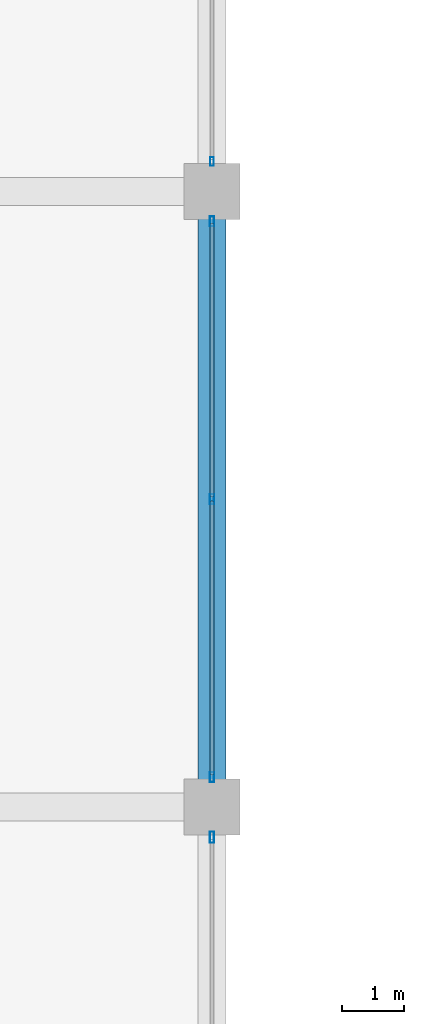
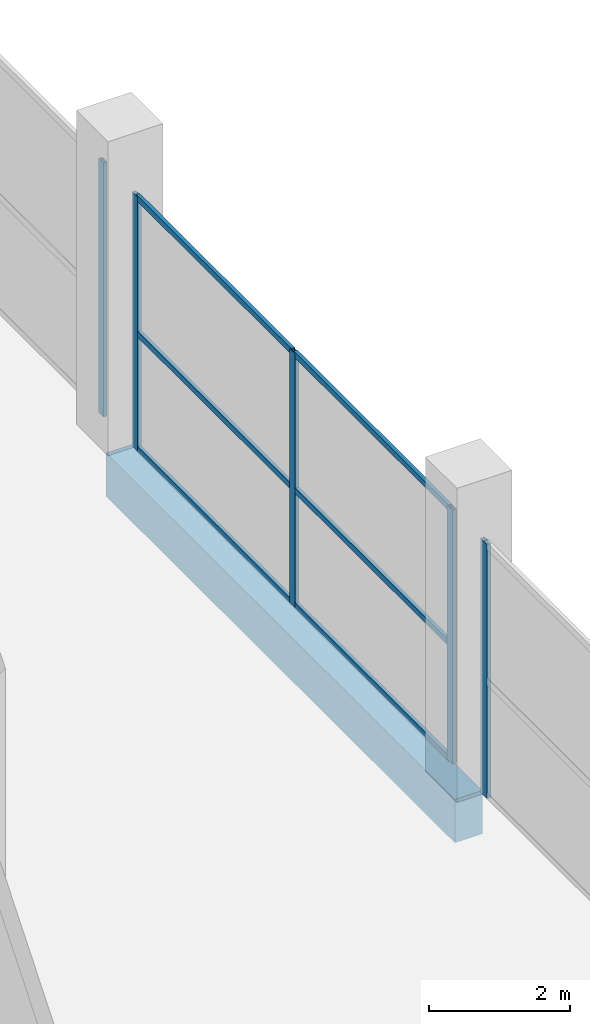
# One storey, part 10 of 50: 11 members, 1 beam, 3 elements without a shape of their own.
"""IFC4 building model written with IfcOpenShell, lengths in metres."""

from ifc_helpers import new_model, si_unit, direction, frame, origin, origin_2d, place, context, subcontext, project, spatial, rectangle, hollow_rectangle, extrude, material, layer, layer_set, material_profile, profile_set, type_object, element, aggregate, save


model = new_model("IFC4")

# Units and contexts
model_context = context("Model", 3, precision=1e-05, world=origin(), true_north=direction((0.0, 1.0)))
body_context = subcontext(model_context, "Body", "Model", "MODEL_VIEW")
ifc_project = project(units=[si_unit("LENGTHUNIT", "METRE"), si_unit("AREAUNIT", "SQUARE_METRE"), si_unit("VOLUMEUNIT", "CUBIC_METRE"), si_unit("PLANEANGLEUNIT", "RADIAN"), si_unit("MASSUNIT", "GRAM", prefix="KILO")], contexts=[model_context])

# Site, building, storey
site_placement = place(None, origin())
site = spatial("IfcSite", under=ifc_project, at=site_placement, CompositionType="ELEMENT")
building_placement = place(site_placement, origin())
building = spatial("IfcBuilding", under=site, at=building_placement, Name="Sillaruma Civic Art Gallery", CompositionType="ELEMENT")
storey_placement = place(building_placement, origin())
storey = spatial("IfcBuildingStorey", under=building, at=storey_placement, Name="L00", CompositionType="ELEMENT", Elevation=0.0)

# Beam
ifc_material_1 = material(Name="Concrete H40 (40 MPa)", Category="concrete")
ifc_material_profile_1 = material_profile(ifc_material_1, rectangle(XDim=0.449951171875, YDim=0.75, at=origin_2d()), Name="RCB450x750")
ifc_profile_set_1 = profile_set([ifc_material_profile_1], Name="Concrete H40 (40 MPa)")
beam_type = type_object("IfcBeamType", Name="BM-BEAM-RCB450x750", PredefinedType="BEAM", material=ifc_profile_set_1)
beam_placement = place(storey_placement, frame((114.39990234375, 49.5, -0.675048828125), z_axis=(0.0, 1.0, 0.0), x_axis=(-1.0, 0.0, 0.0)))
element("IfcBeam", 1, at=beam_placement, inside=storey, type_object=beam_type, Name="Beam BM-03 (B01:N:6-7)", PredefinedType="BEAM", context=body_context, shape_type="SweptSolid", body=[
    extrude(rectangle(XDim=0.449951171875, YDim=0.75, at=origin_2d()), origin(), (0.0, 0.0, 1.0), 9.89990234375),
])

# Curtain wall, member
ifc_material_2 = material(Name="Thermally Broken Extruded Aluminium 6063-T6", Category="aluminium")
ifc_layer_1 = layer(ifc_material_2, 0.139892578125, Name="Thermally Broken Extruded Aluminium 6063-T6")
ifc_layer_set_1 = layer_set([ifc_layer_1], Name="Thermally Broken Extruded Aluminium 6063-T6")
curtain_wall_type_1 = type_object("IfcCurtainWallType", Name="CW-UNI-05", PredefinedType="NOTDEFINED", material=ifc_layer_set_1)
curtain_wall_1_placement = place(storey_placement, origin())
curtain_wall_1 = element("IfcCurtainWall", 2, at=curtain_wall_1_placement, inside=storey, type_object=curtain_wall_type_1, Name="Unitised Curtain Wall CW-05 (CW-L00-SPE-5)", PredefinedType="NOTDEFINED")
ifc_material_profile_2 = material_profile(ifc_material_2, hollow_rectangle(XDim=0.06005859375, YDim=0.139892578125, WallThickness=0.00341796875, at=origin_2d()), Name="CWM60x140")
ifc_profile_set_2 = profile_set([ifc_material_profile_2], Name="Thermally Broken Extruded Aluminium 6063-T6")
member_type_1 = type_object("IfcMemberType", Name="MEM-MUL-CWM60x140", PredefinedType="MULLION", material=ifc_profile_set_2)
member_1_placement = place(storey_placement, frame((114.39990234375, 59.8798828125, 0.0), z_axis=(0.0, 0.0, 1.0), x_axis=(-1.0, 0.0, 0.0)))
member_1 = element("IfcMember", 3, at=member_1_placement, type_object=member_type_1, Name="CW-05 mullion 1", PredefinedType="MULLION", context=body_context, shape_type="SweptSolid", body=[
    extrude(hollow_rectangle(XDim=0.06005859375, YDim=0.139892578125, WallThickness=0.00341796875, at=origin_2d()), origin(), (0.0, 0.0, 1.0), 4.39990234375),
])
aggregate(curtain_wall_1, [member_1])

# Curtain wall, members
ifc_layer_2 = layer(ifc_material_2, 0.159912109375, Name="Thermally Broken Extruded Aluminium 6063-T6")
ifc_layer_set_2 = layer_set([ifc_layer_2], Name="Thermally Broken Extruded Aluminium 6063-T6")
curtain_wall_type_2 = type_object("IfcCurtainWallType", Name="CW-UNI-04", PredefinedType="NOTDEFINED", material=ifc_layer_set_2)
curtain_wall_2_placement = place(storey_placement, origin())
curtain_wall_2 = element("IfcCurtainWall", 4, at=curtain_wall_2_placement, inside=storey, type_object=curtain_wall_type_2, Name="Unitised Curtain Wall CW-04 (CW-L00-SPE-4)", PredefinedType="NOTDEFINED")
ifc_material_profile_3 = material_profile(ifc_material_2, hollow_rectangle(XDim=0.06494140625, YDim=0.159912109375, WallThickness=0.00390625, at=origin_2d()), Name="CWM65x160")
ifc_profile_set_3 = profile_set([ifc_material_profile_3], Name="Thermally Broken Extruded Aluminium 6063-T6")
member_type_2 = type_object("IfcMemberType", Name="MEM-MUL-CWM65x160", PredefinedType="MULLION", material=ifc_profile_set_3)
member_2_placement = place(storey_placement, frame((114.39990234375, 49.982421875, 0.0), z_axis=(0.0, 0.0, 1.0), x_axis=(-1.0, 0.0, 0.0)))
member_2 = element("IfcMember", 5, at=member_2_placement, type_object=member_type_2, Name="CW-04 mullion 1", PredefinedType="MULLION", context=body_context, shape_type="SweptSolid", body=[
    extrude(hollow_rectangle(XDim=0.06494140625, YDim=0.159912109375, WallThickness=0.00390625, at=origin_2d()), origin(), (0.0, 0.0, 1.0), 4.39990234375),
])
member_3_placement = place(storey_placement, frame((114.39990234375, 54.449951171875, 0.0), z_axis=(0.0, 0.0, 1.0), x_axis=(-1.0, 0.0, 0.0)))
member_3 = element("IfcMember", 6, at=member_3_placement, type_object=member_type_2, Name="CW-04 mullion 2", PredefinedType="MULLION", context=body_context, shape_type="SweptSolid", body=[
    extrude(hollow_rectangle(XDim=0.06494140625, YDim=0.159912109375, WallThickness=0.00390625, at=origin_2d()), origin(), (0.0, 0.0, 1.0), 4.39990234375),
])
member_4_placement = place(storey_placement, frame((114.39990234375, 58.91748046875, 0.0), z_axis=(0.0, 0.0, 1.0), x_axis=(-1.0, 0.0, 0.0)))
member_4 = element("IfcMember", 7, at=member_4_placement, type_object=member_type_2, Name="CW-04 mullion 3", PredefinedType="MULLION", context=body_context, shape_type="SweptSolid", body=[
    extrude(hollow_rectangle(XDim=0.06494140625, YDim=0.159912109375, WallThickness=0.00390625, at=origin_2d()), origin(), (0.0, 0.0, 1.0), 4.39990234375),
])

# Curtain wall, member
ifc_layer_3 = layer(ifc_material_2, 0.179931640625, Name="Thermally Broken Extruded Aluminium 6063-T6")
ifc_layer_set_3 = layer_set([ifc_layer_3], Name="Thermally Broken Extruded Aluminium 6063-T6")
curtain_wall_type_3 = type_object("IfcCurtainWallType", Name="CW-UNI-02", PredefinedType="NOTDEFINED", material=ifc_layer_set_3)
curtain_wall_3_placement = place(storey_placement, origin())
curtain_wall_3 = element("IfcCurtainWall", 8, at=curtain_wall_3_placement, inside=storey, type_object=curtain_wall_type_3, Name="Unitised Curtain Wall CW-02 (CW-L00-SPE-3)", PredefinedType="NOTDEFINED")
ifc_material_profile_4 = material_profile(ifc_material_2, hollow_rectangle(XDim=0.070068359375, YDim=0.179931640625, WallThickness=0.00390625, at=origin_2d()), Name="CWM70x180")
ifc_profile_set_4 = profile_set([ifc_material_profile_4], Name="Thermally Broken Extruded Aluminium 6063-T6")
member_type_3 = type_object("IfcMemberType", Name="MEM-MUL-CWM70x180", PredefinedType="MULLION", material=ifc_profile_set_4)
member_5_placement = place(storey_placement, frame((114.39990234375, 49.014892578125, 0.0), z_axis=(0.0, 0.0, 1.0), x_axis=(-1.0, 0.0, 0.0)))
member_5 = element("IfcMember", 9, at=member_5_placement, type_object=member_type_3, Name="CW-02 mullion 3", PredefinedType="MULLION", context=body_context, shape_type="SweptSolid", body=[
    extrude(hollow_rectangle(XDim=0.070068359375, YDim=0.179931640625, WallThickness=0.00390625, at=origin_2d()), origin(), (0.0, 0.0, 1.0), 4.39990234375),
])
aggregate(curtain_wall_3, [member_5])

# Member
ifc_material_profile_5 = material_profile(ifc_material_2, hollow_rectangle(XDim=0.06005859375, YDim=0.10009765625, WallThickness=0.003173828125, at=origin_2d()), Name="CWT60x100")
ifc_profile_set_5 = profile_set([ifc_material_profile_5], Name="Thermally Broken Extruded Aluminium 6063-T6")
member_type_4 = type_object("IfcMemberType", Name="MEM-TRN-CWT60x100", PredefinedType="USERDEFINED", material=ifc_profile_set_5)
member_6_placement = place(storey_placement, frame((114.39990234375, 50.014892578125, 0.030029296875), z_axis=(0.0, 1.0, 0.0), x_axis=(-1.0, 0.0, 0.0)))
member_6 = element("IfcMember", 10, at=member_6_placement, type_object=member_type_4, Name="CW-04 transom 1.1", ObjectType="TRANSOM", PredefinedType="USERDEFINED", context=body_context, shape_type="SweptSolid", body=[
    extrude(hollow_rectangle(XDim=0.06005859375, YDim=0.10009765625, WallThickness=0.003173828125, at=origin_2d()), origin(), (0.0, 0.0, 1.0), 4.402587890625),
])

member_7_placement = place(storey_placement, frame((114.39990234375, 50.014892578125, 2.02392578125), z_axis=(0.0, 1.0, 0.0), x_axis=(-1.0, 0.0, 0.0)))
member_7 = element("IfcMember", 11, at=member_7_placement, type_object=member_type_4, Name="CW-04 transom 1.2", ObjectType="TRANSOM", PredefinedType="USERDEFINED", context=body_context, shape_type="SweptSolid", body=[
    extrude(hollow_rectangle(XDim=0.06005859375, YDim=0.10009765625, WallThickness=0.003173828125, at=origin_2d()), origin(), (0.0, 0.0, 1.0), 4.402587890625),
])

member_8_placement = place(storey_placement, frame((114.39990234375, 50.014892578125, 4.3701171875), z_axis=(0.0, 1.0, 0.0), x_axis=(-1.0, 0.0, 0.0)))
member_8 = element("IfcMember", 12, at=member_8_placement, type_object=member_type_4, Name="CW-04 transom 1.3", ObjectType="TRANSOM", PredefinedType="USERDEFINED", context=body_context, shape_type="SweptSolid", body=[
    extrude(hollow_rectangle(XDim=0.06005859375, YDim=0.10009765625, WallThickness=0.003173828125, at=origin_2d()), origin(), (0.0, 0.0, 1.0), 4.402587890625),
])

member_9_placement = place(storey_placement, frame((114.39990234375, 54.482421875, 0.030029296875), z_axis=(0.0, 1.0, 0.0), x_axis=(-1.0, 0.0, 0.0)))
member_9 = element("IfcMember", 13, at=member_9_placement, type_object=member_type_4, Name="CW-04 transom 2.1", ObjectType="TRANSOM", PredefinedType="USERDEFINED", context=body_context, shape_type="SweptSolid", body=[
    extrude(hollow_rectangle(XDim=0.06005859375, YDim=0.10009765625, WallThickness=0.003173828125, at=origin_2d()), origin(), (0.0, 0.0, 1.0), 4.402587890625),
])

member_10_placement = place(storey_placement, frame((114.39990234375, 54.482421875, 2.02392578125), z_axis=(0.0, 1.0, 0.0), x_axis=(-1.0, 0.0, 0.0)))
member_10 = element("IfcMember", 14, at=member_10_placement, type_object=member_type_4, Name="CW-04 transom 2.2", ObjectType="TRANSOM", PredefinedType="USERDEFINED", context=body_context, shape_type="SweptSolid", body=[
    extrude(hollow_rectangle(XDim=0.06005859375, YDim=0.10009765625, WallThickness=0.003173828125, at=origin_2d()), origin(), (0.0, 0.0, 1.0), 4.402587890625),
])

member_11_placement = place(storey_placement, frame((114.39990234375, 54.482421875, 4.3701171875), z_axis=(0.0, 1.0, 0.0), x_axis=(-1.0, 0.0, 0.0)))
member_11 = element("IfcMember", 15, at=member_11_placement, type_object=member_type_4, Name="CW-04 transom 2.3", ObjectType="TRANSOM", PredefinedType="USERDEFINED", context=body_context, shape_type="SweptSolid", body=[
    extrude(hollow_rectangle(XDim=0.06005859375, YDim=0.10009765625, WallThickness=0.003173828125, at=origin_2d()), origin(), (0.0, 0.0, 1.0), 4.402587890625),
])

aggregate(curtain_wall_2, [member_2, member_3, member_4, member_6, member_7, member_8, member_9, member_10, member_11])

save(model, "model.ifc")
